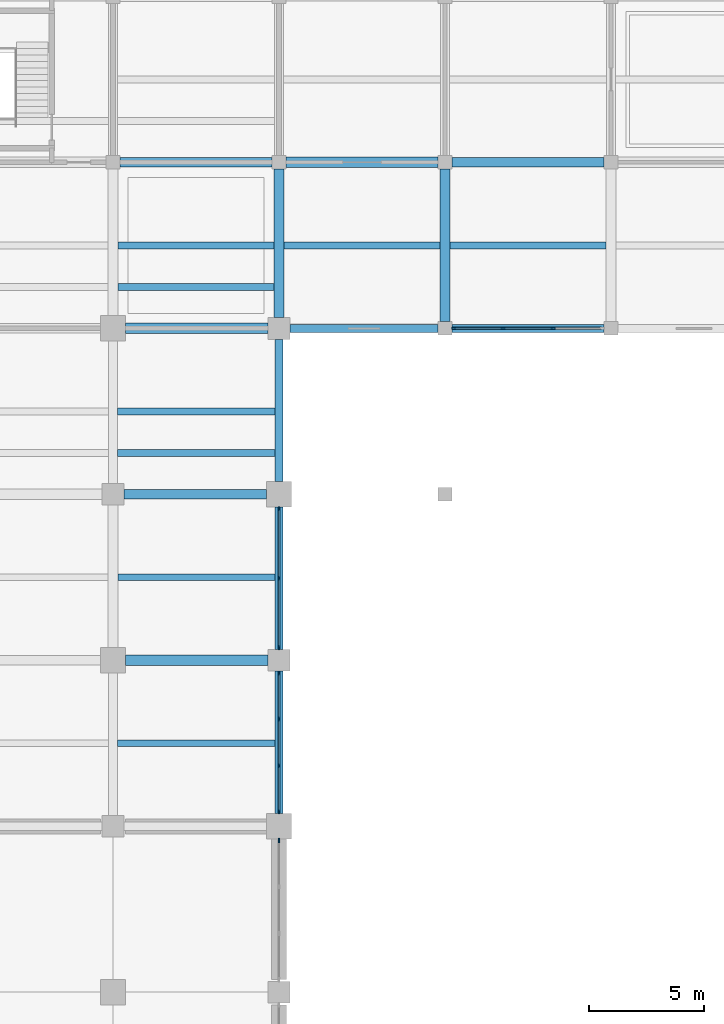
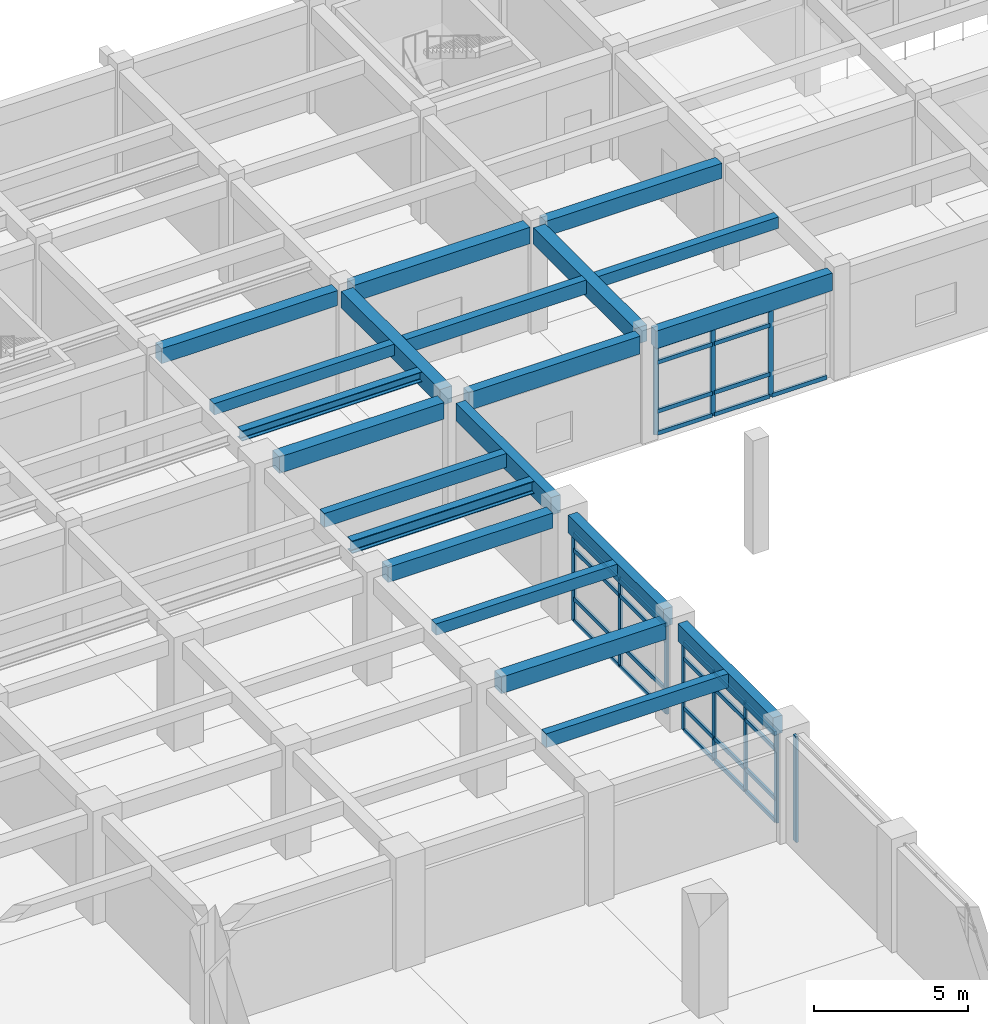
# One storey, part 17 of 81: 40 members, 21 beams, 4 elements without a shape of their own.
"""IFC4 building model written with IfcOpenShell, lengths in metres."""

from ifc_helpers import new_model, si_unit, direction, frame, origin, origin_2d, place, context, subcontext, project, spatial, rectangle, i_section, extrude, material, layer, layer_set, material_profile, profile_set, type_object, element, aggregate, save


model = new_model("IFC4")

# Units and contexts
model_context = context("Model", 3, precision=1e-05, world=origin(), true_north=direction((0.0, 1.0)))
body_context = subcontext(model_context, "Body", "Model", "MODEL_VIEW")
ifc_project = project(units=[si_unit("LENGTHUNIT", "METRE"), si_unit("AREAUNIT", "SQUARE_METRE"), si_unit("VOLUMEUNIT", "CUBIC_METRE"), si_unit("PLANEANGLEUNIT", "RADIAN"), si_unit("MASSUNIT", "GRAM", prefix="KILO")], contexts=[model_context])

# Site, building, storey
site_placement = place(None, origin())
site = spatial("IfcSite", under=ifc_project, at=site_placement, CompositionType="ELEMENT")
building_placement = place(site_placement, origin())
building = spatial("IfcBuilding", under=site, at=building_placement, Name="Kavelor Marine Aquarium", CompositionType="ELEMENT")
storey_placement = place(building_placement, frame((0.0, 0.0, 4.679931640625)))
storey = spatial("IfcBuildingStorey", under=building, at=storey_placement, Name="L01", CompositionType="ELEMENT", Elevation=4.679931640625)

# Beams
ifc_material_1 = material(Name="Concrete C40/50", Category="concrete")
ifc_material_profile_1 = material_profile(ifc_material_1, rectangle(XDim=0.449951171875, YDim=0.64990234375, at=origin_2d()), Name="RC-BM 450x650")
ifc_profile_set_1 = profile_set([ifc_material_profile_1], Name="Concrete C40/50")
beam_type_1 = type_object("IfcBeamType", Name="BM-B3", PredefinedType="BEAM", material=ifc_profile_set_1)
for number, where, z_axis, x_axis, name in (
    (1, (32.550048828125, 74.800048828125, 3.875), (1.0, 0.0, 0.0), (0.0, 1.0, 0.0), "bm:x:L01:L02:04_10"),
    (2, (32.550048828125, 89.199951171875, 3.875), (1.0, 0.0, 0.0), (0.0, 1.0, 0.0), "bm:x:L01:L02:04_12"),
):
    element("IfcBeam", number, at=place(storey_placement, frame(where, z_axis=z_axis, x_axis=x_axis)), inside=storey, type_object=beam_type_1, Name=name, PredefinedType="BEAM", context=body_context, shape_type="SweptSolid", body=[
        extrude(rectangle(XDim=0.449951171875, YDim=0.64990234375, at=origin_2d()), origin(), (0.0, 0.0, 1.0), 6.175048828125),
    ])
beam_1_placement = place(storey_placement, frame((39.5, 96.39990234375, 3.875), z_axis=(1.0, 0.0, 0.0), x_axis=(0.0, 1.0, 0.0)))
element("IfcBeam", 3, at=beam_1_placement, inside=storey, type_object=beam_type_1, Name="bm:x:L01:L02:05_13", PredefinedType="BEAM", context=body_context, shape_type="SweptSolid", body=[
    extrude(rectangle(XDim=0.449951171875, YDim=0.64990234375, at=origin_2d()), origin(), (0.0, 0.0, 1.0), 6.60009765625),
])
beam_2_placement = place(storey_placement, frame((39.199951171875, 89.675048828125, 3.875), z_axis=(0.0, 1.0, 0.0), x_axis=(-1.0, 0.0, 0.0)))
element("IfcBeam", 4, at=beam_2_placement, inside=storey, type_object=beam_type_1, Name="bm:y:L01:L02:05_12", PredefinedType="BEAM", context=body_context, shape_type="SweptSolid", body=[
    extrude(rectangle(XDim=0.449951171875, YDim=0.64990234375, at=origin_2d()), origin(), (0.0, 0.0, 1.0), 6.425048828125),
])
beam_3_placement = place(storey_placement, frame((46.39990234375, 89.5, 3.875), z_axis=(0.0, 1.0, 0.0), x_axis=(-1.0, 0.0, 0.0)))
element("IfcBeam", 5, at=beam_3_placement, inside=storey, type_object=beam_type_1, Name="bm:y:L01:L02:06_12", PredefinedType="BEAM", context=body_context, shape_type="SweptSolid", body=[
    extrude(rectangle(XDim=0.449951171875, YDim=0.64990234375, at=origin_2d()), origin(), (0.0, 0.0, 1.0), 6.60009765625),
])
ifc_material_2 = material(Name="Concrete C40/50", Category="concrete")
ifc_material_profile_2 = material_profile(ifc_material_2, rectangle(XDim=0.39990234375, YDim=0.60009765625, at=origin_2d()), Name="RC-BM 400x600")
ifc_profile_set_2 = profile_set([ifc_material_profile_2], Name="Concrete C40/50")
beam_type_2 = type_object("IfcBeamType", Name="BM-B4", PredefinedType="BEAM", material=ifc_profile_set_2)
beam_4_placement = place(storey_placement, frame((32.47509765625, 82.0, 3.900146484375), z_axis=(1.0, 0.0, 0.0), x_axis=(0.0, 1.0, 0.0)))
element("IfcBeam", 6, at=beam_4_placement, inside=storey, type_object=beam_type_2, Name="bm:x:L01:L02:04_11", PredefinedType="BEAM", context=body_context, shape_type="SweptSolid", body=[
    extrude(rectangle(XDim=0.39990234375, YDim=0.60009765625, at=origin_2d()), origin(), (0.0, 0.0, 1.0), 6.1748046875),
])
beam_5_placement = place(storey_placement, frame((32.300048828125, 96.39990234375, 3.900146484375), z_axis=(1.0, 0.0, 0.0), x_axis=(0.0, 1.0, 0.0)))
element("IfcBeam", 7, at=beam_5_placement, inside=storey, type_object=beam_type_2, Name="bm:x:L01:L02:04_13", PredefinedType="BEAM", context=body_context, shape_type="SweptSolid", body=[
    extrude(rectangle(XDim=0.39990234375, YDim=0.60009765625, at=origin_2d()), origin(), (0.0, 0.0, 1.0), 6.599853515625),
])
beam_6_placement = place(storey_placement, frame((46.699951171875, 96.39990234375, 3.900146484375), z_axis=(1.0, 0.0, 0.0), x_axis=(0.0, 1.0, 0.0)))
element("IfcBeam", 8, at=beam_6_placement, inside=storey, type_object=beam_type_2, Name="bm:x:L01:L02:06_13", PredefinedType="BEAM", context=body_context, shape_type="SweptSolid", body=[
    extrude(rectangle(XDim=0.39990234375, YDim=0.60009765625, at=origin_2d()), origin(), (0.0, 0.0, 1.0), 6.60009765625),
])
ifc_material_3 = material(Name="Concrete C40/50", Category="concrete")
ifc_material_profile_3 = material_profile(ifc_material_3, rectangle(XDim=0.300048828125, YDim=0.449951171875, at=origin_2d()), Name="RC-JS 300x450")
ifc_profile_set_3 = profile_set([ifc_material_profile_3], Name="Concrete C40/50")
beam_type_3 = type_object("IfcBeamType", Name="BM-JS1", PredefinedType="JOIST", material=ifc_profile_set_3)
beam_7_placement = place(storey_placement, frame((32.22509765625, 78.39990234375, 3.97509765625), z_axis=(1.0, 0.0, 0.0), x_axis=(0.0, 1.0, 0.0)))
element("IfcBeam", 9, at=beam_7_placement, inside=storey, type_object=beam_type_3, Name="js:L01:L02:04_10", PredefinedType="JOIST", context=body_context, shape_type="SweptSolid", body=[
    extrude(rectangle(XDim=0.300048828125, YDim=0.449951171875, at=origin_2d()), origin(), (0.0, 0.0, 1.0), 6.7998046875),
])
for number, where, z_axis, x_axis, name in (
    (10, (32.22509765625, 92.800048828125, 3.97509765625), (1.0, 0.0, 0.0), (0.0, 1.0, 0.0), "js:L01:L02:04_12"),
    (11, (46.625, 92.800048828125, 3.97509765625), (1.0, 0.0, 0.0), (0.0, 1.0, 0.0), "js:L01:L02:06_12"),
):
    element("IfcBeam", number, at=place(storey_placement, frame(where, z_axis=z_axis, x_axis=x_axis)), inside=storey, type_object=beam_type_3, Name=name, PredefinedType="JOIST", context=body_context, shape_type="SweptSolid", body=[
        extrude(rectangle(XDim=0.300048828125, YDim=0.449951171875, at=origin_2d()), origin(), (0.0, 0.0, 1.0), 6.75),
    ])
ifc_material_4 = material(Name="Concrete C40/50", Category="concrete")
ifc_material_profile_4 = material_profile(ifc_material_4, rectangle(XDim=0.300048828125, YDim=0.550048828125, at=origin_2d()), Name="RC-JS 300x550")
ifc_profile_set_4 = profile_set([ifc_material_profile_4], Name="Concrete C40/50")
beam_type_4 = type_object("IfcBeamType", Name="BM-JS2", PredefinedType="JOIST", material=ifc_profile_set_4)
for number, where, z_axis, x_axis, name in (
    (12, (32.199951171875, 71.199951171875, 3.945068359375), (1.0, 0.0, 0.0), (0.0, 1.0, 0.0), "js:L01:L02:04_09"),
    (13, (32.199951171875, 85.60009765625, 3.945068359375), (1.0, 0.0, 0.0), (0.0, 1.0, 0.0), "js:L01:L02:04_11"),
):
    element("IfcBeam", number, at=place(storey_placement, frame(where, z_axis=z_axis, x_axis=x_axis)), inside=storey, type_object=beam_type_4, Name=name, PredefinedType="JOIST", context=body_context, shape_type="SweptSolid", body=[
        extrude(rectangle(XDim=0.300048828125, YDim=0.550048828125, at=origin_2d()), origin(), (0.0, 0.0, 1.0), 6.824951171875),
    ])
beam_8_placement = place(storey_placement, frame((39.425048828125, 92.800048828125, 3.945068359375), z_axis=(1.0, 0.0, 0.0), x_axis=(0.0, 1.0, 0.0)))
element("IfcBeam", 14, at=beam_8_placement, inside=storey, type_object=beam_type_4, Name="js:L01:L02:05_12", PredefinedType="JOIST", context=body_context, shape_type="SweptSolid", body=[
    extrude(rectangle(XDim=0.300048828125, YDim=0.550048828125, at=origin_2d()), origin(), (0.0, 0.0, 1.0), 6.75),
])
ifc_material_5 = material(Name="Steel S355", Category="steel")
ifc_material_profile_5 = material_profile(ifc_material_5, i_section(OverallWidth=0.300048828125, OverallDepth=0.5, WebThickness=0.014404296875, FlangeThickness=0.028076171875, FilletRadius=0.027099609375, at=origin_2d()), Name="HEB 500")
ifc_profile_set_5 = profile_set([ifc_material_profile_5], Name="Steel S355")
beam_type_5 = type_object("IfcBeamType", Name="BM-SB3", PredefinedType="BEAM", material=ifc_profile_set_5)
beam_9_placement = place(storey_placement, frame((32.199951171875, 83.800048828125, 3.969970703125), z_axis=(1.0, 0.0, 0.0), x_axis=(0.0, 1.0, 0.0)))
element("IfcBeam", 15, at=beam_9_placement, inside=storey, type_object=beam_type_5, Name="bm:hoist:0:04", PredefinedType="BEAM", context=body_context, shape_type="SweptSolid", body=[
    extrude(i_section(OverallWidth=0.300048828125, OverallDepth=0.5, WebThickness=0.014404296875, FlangeThickness=0.028076171875, FilletRadius=0.027099609375, at=origin_2d()), origin(), (0.0, 0.0, 1.0), 6.824951171875),
])
ifc_material_6 = material(Name="Steel S355", Category="steel")
ifc_material_profile_6 = material_profile(ifc_material_6, i_section(OverallWidth=0.300048828125, OverallDepth=0.39990234375, WebThickness=0.013427734375, FlangeThickness=0.02392578125, FilletRadius=0.027099609375, at=origin_2d()), Name="HEB 400")
ifc_profile_set_6 = profile_set([ifc_material_profile_6], Name="Steel S355")
beam_type_6 = type_object("IfcBeamType", Name="BM-SB4", PredefinedType="BEAM", material=ifc_profile_set_6)
beam_10_placement = place(storey_placement, frame((32.22509765625, 91.0, 4.0), z_axis=(1.0, 0.0, 0.0), x_axis=(0.0, 1.0, 0.0)))
element("IfcBeam", 16, at=beam_10_placement, inside=storey, type_object=beam_type_6, Name="bm:hoist:1:04", PredefinedType="BEAM", context=body_context, shape_type="SweptSolid", body=[
    extrude(i_section(OverallWidth=0.300048828125, OverallDepth=0.39990234375, WebThickness=0.013427734375, FlangeThickness=0.02392578125, FilletRadius=0.027099609375, at=origin_2d()), origin(), (0.0, 0.0, 1.0), 6.75),
])
ifc_material_7 = material(Name="Concrete C40/50", Category="concrete")
ifc_material_profile_7 = material_profile(ifc_material_7, rectangle(XDim=0.35009765625, YDim=0.699951171875, at=origin_2d()), Name="RC-SP 350x700")
ifc_profile_set_7 = profile_set([ifc_material_profile_7], Name="Concrete C40/50")
beam_type_7 = type_object("IfcBeamType", Name="BM-SP1", PredefinedType="SPANDREL", material=ifc_profile_set_7)
beam_11_placement = place(storey_placement, frame((39.675048828125, 89.199951171875, 3.8701171875), z_axis=(1.0, 0.0, 0.0), x_axis=(0.0, 1.0, 0.0)))
element("IfcBeam", 17, at=beam_11_placement, inside=storey, type_object=beam_type_7, Name="bm:x:L01:L02:05_12", PredefinedType="SPANDREL", context=body_context, shape_type="SweptSolid", body=[
    extrude(rectangle(XDim=0.35009765625, YDim=0.699951171875, at=origin_2d()), origin(), (0.0, 0.0, 1.0), 6.425048828125),
])
beam_12_placement = place(storey_placement, frame((46.699951171875, 89.199951171875, 3.85009765625), z_axis=(1.0, 0.0, 0.0), x_axis=(0.0, 1.0, 0.0)))
element("IfcBeam", 18, at=beam_12_placement, inside=storey, type_object=beam_type_7, Name="bm:x:L01:L02:06_12", PredefinedType="SPANDREL", context=body_context, shape_type="SweptSolid", body=[
    extrude(rectangle(XDim=0.35009765625, YDim=0.699951171875, at=origin_2d()), origin(), (0.0, 0.0, 1.0), 6.60009765625),
])
for number, where, z_axis, x_axis, name in (
    (19, (39.199951171875, 68.14990234375, 3.8701171875), (0.0, 1.0, 0.0), (-1.0, 0.0, 0.0), "bm:y:L01:L02:05_09"),
    (20, (39.199951171875, 75.27490234375, 3.85009765625), (0.0, 1.0, 0.0), (-1.0, 0.0, 0.0), "bm:y:L01:L02:05_10"),
    (21, (39.199951171875, 82.550048828125, 3.8701171875), (0.0, 1.0, 0.0), (-1.0, 0.0, 0.0), "bm:y:L01:L02:05_11"),
):
    element("IfcBeam", number, at=place(storey_placement, frame(where, z_axis=z_axis, x_axis=x_axis)), inside=storey, type_object=beam_type_7, Name=name, PredefinedType="SPANDREL", context=body_context, shape_type="SweptSolid", body=[
        extrude(rectangle(XDim=0.35009765625, YDim=0.699951171875, at=origin_2d()), origin(), (0.0, 0.0, 1.0), 6.175048828125),
    ])

# Curtain wall, members
ifc_material_8 = material(Name="Thermally Broken Aluminium and Low-E Glass", Category="aluminium")
ifc_layer_1 = layer(ifc_material_8, 0.31591796875)
ifc_layer_set_1 = layer_set([ifc_layer_1], Name="CW-SYS22")
curtain_wall_type_1 = type_object("IfcCurtainWallType", Name="CW-SYS22", PredefinedType="USERDEFINED", material=ifc_layer_set_1)
curtain_wall_1_placement = place(storey_placement, origin())
curtain_wall_1 = element("IfcCurtainWall", 22, at=curtain_wall_1_placement, inside=storey, type_object=curtain_wall_type_1, Name="cw:x:L01:06_12", ObjectType="Curtain Wall", PredefinedType="USERDEFINED")
ifc_material_9 = material(Name="Anodised Aluminium Alloy 6063-T6", Category="aluminium")
ifc_material_profile_8 = material_profile(ifc_material_9, rectangle(XDim=0.074951171875, YDim=0.179931640625, at=origin_2d()), Name="CW-MUL 75x180")
ifc_profile_set_8 = profile_set([ifc_material_profile_8], Name="Anodised Aluminium Alloy 6063-T6")
member_type_1 = type_object("IfcMemberType", Name="CWM-1", PredefinedType="MULLION", material=ifc_profile_set_8)
member_1_placement = place(storey_placement, frame((51.0849609375, 89.199951171875, 0.0), z_axis=(0.0, 0.0, 1.0), x_axis=(0.0, -1.0, 0.0)))
member_1 = element("IfcMember", 23, at=member_1_placement, type_object=member_type_1, Name="CW22 mullion 2", PredefinedType="MULLION", context=body_context, shape_type="SweptSolid", body=[
    extrude(rectangle(XDim=0.074951171875, YDim=0.179931640625, at=origin_2d()), origin(), (0.0, 0.0, 1.0), 3.489990234375),
])
member_2_placement = place(storey_placement, frame((48.9150390625, 89.199951171875, 0.0), z_axis=(0.0, 0.0, 1.0), x_axis=(0.0, -1.0, 0.0)))
member_2 = element("IfcMember", 24, at=member_2_placement, type_object=member_type_1, Name="CW22 mullion 3", PredefinedType="MULLION", context=body_context, shape_type="SweptSolid", body=[
    extrude(rectangle(XDim=0.074951171875, YDim=0.179931640625, at=origin_2d()), origin(), (0.0, 0.0, 1.0), 3.489990234375),
])
member_3_placement = place(storey_placement, frame((46.782470703125, 89.199951171875, 0.0), z_axis=(0.0, 0.0, 1.0), x_axis=(0.0, -1.0, 0.0)))
member_3 = element("IfcMember", 25, at=member_3_placement, type_object=member_type_1, Name="CW22 mullion 4", PredefinedType="MULLION", context=body_context, shape_type="SweptSolid", body=[
    extrude(rectangle(XDim=0.074951171875, YDim=0.179931640625, at=origin_2d()), origin(), (0.0, 0.0, 1.0), 3.489990234375),
])

curtain_wall_2_placement = place(storey_placement, origin())
curtain_wall_2 = element("IfcCurtainWall", 26, at=curtain_wall_2_placement, inside=storey, type_object=curtain_wall_type_1, Name="cw:y:L01:05_09", ObjectType="Curtain Wall", PredefinedType="USERDEFINED")
member_4_placement = place(storey_placement, frame((39.199951171875, 68.232421875, 0.0), z_axis=(0.0, 0.0, 1.0), x_axis=(-1.0, 0.0, 0.0)))
member_4 = element("IfcMember", 27, at=member_4_placement, type_object=member_type_1, Name="CW22 mullion 1", PredefinedType="MULLION", context=body_context, shape_type="SweptSolid", body=[
    extrude(rectangle(XDim=0.074951171875, YDim=0.179931640625, at=origin_2d()), origin(), (0.0, 0.0, 1.0), 3.510009765625),
])
member_5_placement = place(storey_placement, frame((39.199951171875, 70.223388671875, 0.0), z_axis=(0.0, 0.0, 1.0), x_axis=(-1.0, 0.0, 0.0)))
member_5 = element("IfcMember", 28, at=member_5_placement, type_object=member_type_1, Name="CW22 mullion 2", PredefinedType="MULLION", context=body_context, shape_type="SweptSolid", body=[
    extrude(rectangle(XDim=0.074951171875, YDim=0.179931640625, at=origin_2d()), origin(), (0.0, 0.0, 1.0), 3.510009765625),
])
member_6_placement = place(storey_placement, frame((39.199951171875, 72.251708984375, 0.0), z_axis=(0.0, 0.0, 1.0), x_axis=(-1.0, 0.0, 0.0)))
member_6 = element("IfcMember", 29, at=member_6_placement, type_object=member_type_1, Name="CW22 mullion 3", PredefinedType="MULLION", context=body_context, shape_type="SweptSolid", body=[
    extrude(rectangle(XDim=0.074951171875, YDim=0.179931640625, at=origin_2d()), origin(), (0.0, 0.0, 1.0), 3.510009765625),
])
member_7_placement = place(storey_placement, frame((39.199951171875, 74.242431640625, 0.0), z_axis=(0.0, 0.0, 1.0), x_axis=(-1.0, 0.0, 0.0)))
member_7 = element("IfcMember", 30, at=member_7_placement, type_object=member_type_1, Name="CW22 mullion 4", PredefinedType="MULLION", context=body_context, shape_type="SweptSolid", body=[
    extrude(rectangle(XDim=0.074951171875, YDim=0.179931640625, at=origin_2d()), origin(), (0.0, 0.0, 1.0), 3.510009765625),
])

ifc_material_10 = material(Name="Thermally Broken Aluminium and Low-E Glass", Category="aluminium")
ifc_layer_2 = layer(ifc_material_10, 0.323974609375)
ifc_layer_set_2 = layer_set([ifc_layer_2], Name="CW-SYS23")
curtain_wall_type_2 = type_object("IfcCurtainWallType", Name="CW-SYS23", PredefinedType="USERDEFINED", material=ifc_layer_set_2)
curtain_wall_3_placement = place(storey_placement, origin())
curtain_wall_3 = element("IfcCurtainWall", 31, at=curtain_wall_3_placement, inside=storey, type_object=curtain_wall_type_2, Name="cw:y:L01:05_10", ObjectType="Curtain Wall", PredefinedType="USERDEFINED")
ifc_material_11 = material(Name="Anodised Aluminium Alloy 6063-T6", Category="aluminium")
ifc_material_profile_9 = material_profile(ifc_material_11, rectangle(XDim=0.080078125, YDim=0.18505859375, at=origin_2d()), Name="CW-MUL 80x185")
ifc_profile_set_9 = profile_set([ifc_material_profile_9], Name="Anodised Aluminium Alloy 6063-T6")
member_type_2 = type_object("IfcMemberType", Name="CWM-2", PredefinedType="MULLION", material=ifc_profile_set_9)
member_8_placement = place(storey_placement, frame((39.199951171875, 75.3525390625, 0.0), z_axis=(0.0, 0.0, 1.0), x_axis=(-1.0, 0.0, 0.0)))
member_8 = element("IfcMember", 32, at=member_8_placement, type_object=member_type_2, Name="CW23 mullion 1", PredefinedType="MULLION", context=body_context, shape_type="SweptSolid", body=[
    extrude(rectangle(XDim=0.080078125, YDim=0.18505859375, at=origin_2d()), origin(), (0.0, 0.0, 1.0), 3.489990234375),
])
member_9_placement = place(storey_placement, frame((39.199951171875, 78.362548828125, 0.0), z_axis=(0.0, 0.0, 1.0), x_axis=(-1.0, 0.0, 0.0)))
member_9 = element("IfcMember", 33, at=member_9_placement, type_object=member_type_2, Name="CW23 mullion 2", PredefinedType="MULLION", context=body_context, shape_type="SweptSolid", body=[
    extrude(rectangle(XDim=0.080078125, YDim=0.18505859375, at=origin_2d()), origin(), (0.0, 0.0, 1.0), 3.489990234375),
])
member_10_placement = place(storey_placement, frame((39.199951171875, 81.37255859375, 0.0), z_axis=(0.0, 0.0, 1.0), x_axis=(-1.0, 0.0, 0.0)))
member_10 = element("IfcMember", 34, at=member_10_placement, type_object=member_type_2, Name="CW23 mullion 3", PredefinedType="MULLION", context=body_context, shape_type="SweptSolid", body=[
    extrude(rectangle(XDim=0.080078125, YDim=0.18505859375, at=origin_2d()), origin(), (0.0, 0.0, 1.0), 3.489990234375),
])

# Curtain wall, member
ifc_material_12 = material(Name="Thermally Broken Aluminium and Low-E Glass", Category="aluminium")
ifc_layer_3 = layer(ifc_material_12, 0.30810546875)
ifc_layer_set_3 = layer_set([ifc_layer_3], Name="CW-SYS21")
curtain_wall_type_3 = type_object("IfcCurtainWallType", Name="CW-SYS21", PredefinedType="USERDEFINED", material=ifc_layer_set_3)
curtain_wall_4_placement = place(storey_placement, origin())
curtain_wall_4 = element("IfcCurtainWall", 35, at=curtain_wall_4_placement, inside=storey, type_object=curtain_wall_type_3, Name="cw:y:L01:05_08", ObjectType="Curtain Wall", PredefinedType="USERDEFINED")
ifc_material_13 = material(Name="Anodised Aluminium Alloy 6063-T6", Category="aluminium")
ifc_material_profile_10 = material_profile(ifc_material_13, rectangle(XDim=0.0849609375, YDim=0.18994140625, at=origin_2d()), Name="CW-MUL 85x190")
ifc_profile_set_10 = profile_set([ifc_material_profile_10], Name="Anodised Aluminium Alloy 6063-T6")
member_type_3 = type_object("IfcMemberType", Name="CWM-3", PredefinedType="MULLION", material=ifc_profile_set_10)
member_11_placement = place(storey_placement, frame((39.199951171875, 66.97509765625, 0.0), z_axis=(0.0, 0.0, 1.0), x_axis=(-1.0, 0.0, 0.0)))
member_11 = element("IfcMember", 36, at=member_11_placement, type_object=member_type_3, Name="CW21 mullion 4", PredefinedType="MULLION", context=body_context, shape_type="SweptSolid", body=[
    extrude(rectangle(XDim=0.0849609375, YDim=0.18994140625, at=origin_2d()), origin(), (0.0, 0.0, 1.0), 4.199951171875),
])
aggregate(curtain_wall_4, [member_11])

# Member
ifc_material_14 = material(Name="Anodised Aluminium Alloy 6063-T6", Category="aluminium")
ifc_material_profile_11 = material_profile(ifc_material_14, rectangle(XDim=0.0849609375, YDim=0.159912109375, at=origin_2d()), Name="CW-TRN 85x160")
ifc_profile_set_11 = profile_set([ifc_material_profile_11], Name="Anodised Aluminium Alloy 6063-T6")
member_type_4 = type_object("IfcMemberType", Name="CWT-3", PredefinedType="USERDEFINED", material=ifc_profile_set_11)
member_12_placement = place(storey_placement, frame((53.179931640625, 89.199951171875, 0.030029296875), z_axis=(-1.0, 0.0, 0.0), x_axis=(0.0, -1.0, 0.0)))
member_12 = element("IfcMember", 37, at=member_12_placement, type_object=member_type_4, Name="CW22 transom 1.1", ObjectType="TRANSOM", PredefinedType="USERDEFINED", context=body_context, shape_type="SweptSolid", body=[
    extrude(rectangle(XDim=0.0849609375, YDim=0.159912109375, at=origin_2d()), origin(), (0.0, 0.0, 1.0), 2.057373046875),
])

member_13_placement = place(storey_placement, frame((51.047607421875, 89.199951171875, 0.030029296875), z_axis=(-1.0, 0.0, 0.0), x_axis=(0.0, -1.0, 0.0)))
member_13 = element("IfcMember", 38, at=member_13_placement, type_object=member_type_4, Name="CW22 transom 2.1", ObjectType="TRANSOM", PredefinedType="USERDEFINED", context=body_context, shape_type="SweptSolid", body=[
    extrude(rectangle(XDim=0.0849609375, YDim=0.159912109375, at=origin_2d()), origin(), (0.0, 0.0, 1.0), 2.09521484375),
])

member_14_placement = place(storey_placement, frame((51.047607421875, 89.199951171875, 0.900146484375), z_axis=(-1.0, 0.0, 0.0), x_axis=(0.0, -1.0, 0.0)))
member_14 = element("IfcMember", 39, at=member_14_placement, type_object=member_type_4, Name="CW22 transom 2.2", ObjectType="TRANSOM", PredefinedType="USERDEFINED", context=body_context, shape_type="SweptSolid", body=[
    extrude(rectangle(XDim=0.0849609375, YDim=0.159912109375, at=origin_2d()), origin(), (0.0, 0.0, 1.0), 2.09521484375),
])

member_15_placement = place(storey_placement, frame((51.047607421875, 89.199951171875, 2.840087890625), z_axis=(-1.0, 0.0, 0.0), x_axis=(0.0, -1.0, 0.0)))
member_15 = element("IfcMember", 40, at=member_15_placement, type_object=member_type_4, Name="CW22 transom 2.3", ObjectType="TRANSOM", PredefinedType="USERDEFINED", context=body_context, shape_type="SweptSolid", body=[
    extrude(rectangle(XDim=0.0849609375, YDim=0.159912109375, at=origin_2d()), origin(), (0.0, 0.0, 1.0), 2.09521484375),
])

member_16_placement = place(storey_placement, frame((51.047607421875, 89.199951171875, 3.4599609375), z_axis=(-1.0, 0.0, 0.0), x_axis=(0.0, -1.0, 0.0)))
member_16 = element("IfcMember", 41, at=member_16_placement, type_object=member_type_4, Name="CW22 transom 2.4", ObjectType="TRANSOM", PredefinedType="USERDEFINED", context=body_context, shape_type="SweptSolid", body=[
    extrude(rectangle(XDim=0.0849609375, YDim=0.159912109375, at=origin_2d()), origin(), (0.0, 0.0, 1.0), 2.09521484375),
])

member_17_placement = place(storey_placement, frame((48.87744140625, 89.199951171875, 0.030029296875), z_axis=(-1.0, 0.0, 0.0), x_axis=(0.0, -1.0, 0.0)))
member_17 = element("IfcMember", 42, at=member_17_placement, type_object=member_type_4, Name="CW22 transom 3.1", ObjectType="TRANSOM", PredefinedType="USERDEFINED", context=body_context, shape_type="SweptSolid", body=[
    extrude(rectangle(XDim=0.0849609375, YDim=0.159912109375, at=origin_2d()), origin(), (0.0, 0.0, 1.0), 2.057373046875),
])

member_18_placement = place(storey_placement, frame((48.87744140625, 89.199951171875, 0.900146484375), z_axis=(-1.0, 0.0, 0.0), x_axis=(0.0, -1.0, 0.0)))
member_18 = element("IfcMember", 43, at=member_18_placement, type_object=member_type_4, Name="CW22 transom 3.2", ObjectType="TRANSOM", PredefinedType="USERDEFINED", context=body_context, shape_type="SweptSolid", body=[
    extrude(rectangle(XDim=0.0849609375, YDim=0.159912109375, at=origin_2d()), origin(), (0.0, 0.0, 1.0), 2.057373046875),
])

member_19_placement = place(storey_placement, frame((48.87744140625, 89.199951171875, 2.840087890625), z_axis=(-1.0, 0.0, 0.0), x_axis=(0.0, -1.0, 0.0)))
member_19 = element("IfcMember", 44, at=member_19_placement, type_object=member_type_4, Name="CW22 transom 3.3", ObjectType="TRANSOM", PredefinedType="USERDEFINED", context=body_context, shape_type="SweptSolid", body=[
    extrude(rectangle(XDim=0.0849609375, YDim=0.159912109375, at=origin_2d()), origin(), (0.0, 0.0, 1.0), 2.057373046875),
])

member_20_placement = place(storey_placement, frame((48.87744140625, 89.199951171875, 3.4599609375), z_axis=(-1.0, 0.0, 0.0), x_axis=(0.0, -1.0, 0.0)))
member_20 = element("IfcMember", 45, at=member_20_placement, type_object=member_type_4, Name="CW22 transom 3.4", ObjectType="TRANSOM", PredefinedType="USERDEFINED", context=body_context, shape_type="SweptSolid", body=[
    extrude(rectangle(XDim=0.0849609375, YDim=0.159912109375, at=origin_2d()), origin(), (0.0, 0.0, 1.0), 2.057373046875),
])

aggregate(curtain_wall_1, [member_1, member_2, member_3, member_12, member_13, member_14, member_15, member_16, member_17, member_18, member_19, member_20])

member_21_placement = place(storey_placement, frame((39.199951171875, 68.27001953125, 0.030029296875), z_axis=(0.0, 1.0, 0.0), x_axis=(-1.0, 0.0, 0.0)))
member_21 = element("IfcMember", 46, at=member_21_placement, type_object=member_type_4, Name="CW22 transom 1.1", ObjectType="TRANSOM", PredefinedType="USERDEFINED", context=body_context, shape_type="SweptSolid", body=[
    extrude(rectangle(XDim=0.0849609375, YDim=0.159912109375, at=origin_2d()), origin(), (0.0, 0.0, 1.0), 1.915771484375),
])

member_22_placement = place(storey_placement, frame((39.199951171875, 68.27001953125, 0.900146484375), z_axis=(0.0, 1.0, 0.0), x_axis=(-1.0, 0.0, 0.0)))
member_22 = element("IfcMember", 47, at=member_22_placement, type_object=member_type_4, Name="CW22 transom 1.2", ObjectType="TRANSOM", PredefinedType="USERDEFINED", context=body_context, shape_type="SweptSolid", body=[
    extrude(rectangle(XDim=0.0849609375, YDim=0.159912109375, at=origin_2d()), origin(), (0.0, 0.0, 1.0), 1.915771484375),
])

member_23_placement = place(storey_placement, frame((39.199951171875, 68.27001953125, 2.860107421875), z_axis=(0.0, 1.0, 0.0), x_axis=(-1.0, 0.0, 0.0)))
member_23 = element("IfcMember", 48, at=member_23_placement, type_object=member_type_4, Name="CW22 transom 1.3", ObjectType="TRANSOM", PredefinedType="USERDEFINED", context=body_context, shape_type="SweptSolid", body=[
    extrude(rectangle(XDim=0.0849609375, YDim=0.159912109375, at=origin_2d()), origin(), (0.0, 0.0, 1.0), 1.915771484375),
])

member_24_placement = place(storey_placement, frame((39.199951171875, 68.27001953125, 3.47998046875), z_axis=(0.0, 1.0, 0.0), x_axis=(-1.0, 0.0, 0.0)))
member_24 = element("IfcMember", 49, at=member_24_placement, type_object=member_type_4, Name="CW22 transom 1.4", ObjectType="TRANSOM", PredefinedType="USERDEFINED", context=body_context, shape_type="SweptSolid", body=[
    extrude(rectangle(XDim=0.0849609375, YDim=0.159912109375, at=origin_2d()), origin(), (0.0, 0.0, 1.0), 1.915771484375),
])

member_25_placement = place(storey_placement, frame((39.199951171875, 70.2607421875, 0.030029296875), z_axis=(0.0, 1.0, 0.0), x_axis=(-1.0, 0.0, 0.0)))
member_25 = element("IfcMember", 50, at=member_25_placement, type_object=member_type_4, Name="CW22 transom 2.1", ObjectType="TRANSOM", PredefinedType="USERDEFINED", context=body_context, shape_type="SweptSolid", body=[
    extrude(rectangle(XDim=0.0849609375, YDim=0.159912109375, at=origin_2d()), origin(), (0.0, 0.0, 1.0), 1.953369140625),
])

member_26_placement = place(storey_placement, frame((39.199951171875, 70.2607421875, 0.900146484375), z_axis=(0.0, 1.0, 0.0), x_axis=(-1.0, 0.0, 0.0)))
member_26 = element("IfcMember", 51, at=member_26_placement, type_object=member_type_4, Name="CW22 transom 2.2", ObjectType="TRANSOM", PredefinedType="USERDEFINED", context=body_context, shape_type="SweptSolid", body=[
    extrude(rectangle(XDim=0.0849609375, YDim=0.159912109375, at=origin_2d()), origin(), (0.0, 0.0, 1.0), 1.953369140625),
])

member_27_placement = place(storey_placement, frame((39.199951171875, 70.2607421875, 2.860107421875), z_axis=(0.0, 1.0, 0.0), x_axis=(-1.0, 0.0, 0.0)))
member_27 = element("IfcMember", 52, at=member_27_placement, type_object=member_type_4, Name="CW22 transom 2.3", ObjectType="TRANSOM", PredefinedType="USERDEFINED", context=body_context, shape_type="SweptSolid", body=[
    extrude(rectangle(XDim=0.0849609375, YDim=0.159912109375, at=origin_2d()), origin(), (0.0, 0.0, 1.0), 1.953369140625),
])

member_28_placement = place(storey_placement, frame((39.199951171875, 70.2607421875, 3.47998046875), z_axis=(0.0, 1.0, 0.0), x_axis=(-1.0, 0.0, 0.0)))
member_28 = element("IfcMember", 53, at=member_28_placement, type_object=member_type_4, Name="CW22 transom 2.4", ObjectType="TRANSOM", PredefinedType="USERDEFINED", context=body_context, shape_type="SweptSolid", body=[
    extrude(rectangle(XDim=0.0849609375, YDim=0.159912109375, at=origin_2d()), origin(), (0.0, 0.0, 1.0), 1.953369140625),
])

member_29_placement = place(storey_placement, frame((39.199951171875, 72.2890625, 0.030029296875), z_axis=(0.0, 1.0, 0.0), x_axis=(-1.0, 0.0, 0.0)))
member_29 = element("IfcMember", 54, at=member_29_placement, type_object=member_type_4, Name="CW22 transom 3.1", ObjectType="TRANSOM", PredefinedType="USERDEFINED", context=body_context, shape_type="SweptSolid", body=[
    extrude(rectangle(XDim=0.0849609375, YDim=0.159912109375, at=origin_2d()), origin(), (0.0, 0.0, 1.0), 1.916015625),
])

member_30_placement = place(storey_placement, frame((39.199951171875, 72.2890625, 0.900146484375), z_axis=(0.0, 1.0, 0.0), x_axis=(-1.0, 0.0, 0.0)))
member_30 = element("IfcMember", 55, at=member_30_placement, type_object=member_type_4, Name="CW22 transom 3.2", ObjectType="TRANSOM", PredefinedType="USERDEFINED", context=body_context, shape_type="SweptSolid", body=[
    extrude(rectangle(XDim=0.0849609375, YDim=0.159912109375, at=origin_2d()), origin(), (0.0, 0.0, 1.0), 1.916015625),
])

member_31_placement = place(storey_placement, frame((39.199951171875, 72.2890625, 2.860107421875), z_axis=(0.0, 1.0, 0.0), x_axis=(-1.0, 0.0, 0.0)))
member_31 = element("IfcMember", 56, at=member_31_placement, type_object=member_type_4, Name="CW22 transom 3.3", ObjectType="TRANSOM", PredefinedType="USERDEFINED", context=body_context, shape_type="SweptSolid", body=[
    extrude(rectangle(XDim=0.0849609375, YDim=0.159912109375, at=origin_2d()), origin(), (0.0, 0.0, 1.0), 1.916015625),
])

member_32_placement = place(storey_placement, frame((39.199951171875, 72.2890625, 3.47998046875), z_axis=(0.0, 1.0, 0.0), x_axis=(-1.0, 0.0, 0.0)))
member_32 = element("IfcMember", 57, at=member_32_placement, type_object=member_type_4, Name="CW22 transom 3.4", ObjectType="TRANSOM", PredefinedType="USERDEFINED", context=body_context, shape_type="SweptSolid", body=[
    extrude(rectangle(XDim=0.0849609375, YDim=0.159912109375, at=origin_2d()), origin(), (0.0, 0.0, 1.0), 1.916015625),
])

aggregate(curtain_wall_2, [member_4, member_5, member_6, member_7, member_21, member_22, member_23, member_24, member_25, member_26, member_27, member_28, member_29, member_30, member_31, member_32])

member_33_placement = place(storey_placement, frame((39.199951171875, 75.385009765625, 0.030029296875), z_axis=(0.0, 1.0, 0.0), x_axis=(-1.0, 0.0, 0.0)))
member_33 = element("IfcMember", 58, at=member_33_placement, type_object=member_type_4, Name="CW23 transom 1.1", ObjectType="TRANSOM", PredefinedType="USERDEFINED", context=body_context, shape_type="SweptSolid", body=[
    extrude(rectangle(XDim=0.0849609375, YDim=0.159912109375, at=origin_2d()), origin(), (0.0, 0.0, 1.0), 2.945068359375),
])

member_34_placement = place(storey_placement, frame((39.199951171875, 75.385009765625, 0.900146484375), z_axis=(0.0, 1.0, 0.0), x_axis=(-1.0, 0.0, 0.0)))
member_34 = element("IfcMember", 59, at=member_34_placement, type_object=member_type_4, Name="CW23 transom 1.2", ObjectType="TRANSOM", PredefinedType="USERDEFINED", context=body_context, shape_type="SweptSolid", body=[
    extrude(rectangle(XDim=0.0849609375, YDim=0.159912109375, at=origin_2d()), origin(), (0.0, 0.0, 1.0), 2.945068359375),
])

member_35_placement = place(storey_placement, frame((39.199951171875, 75.385009765625, 2.840087890625), z_axis=(0.0, 1.0, 0.0), x_axis=(-1.0, 0.0, 0.0)))
member_35 = element("IfcMember", 60, at=member_35_placement, type_object=member_type_4, Name="CW23 transom 1.3", ObjectType="TRANSOM", PredefinedType="USERDEFINED", context=body_context, shape_type="SweptSolid", body=[
    extrude(rectangle(XDim=0.0849609375, YDim=0.159912109375, at=origin_2d()), origin(), (0.0, 0.0, 1.0), 2.945068359375),
])

member_36_placement = place(storey_placement, frame((39.199951171875, 75.385009765625, 3.4599609375), z_axis=(0.0, 1.0, 0.0), x_axis=(-1.0, 0.0, 0.0)))
member_36 = element("IfcMember", 61, at=member_36_placement, type_object=member_type_4, Name="CW23 transom 1.4", ObjectType="TRANSOM", PredefinedType="USERDEFINED", context=body_context, shape_type="SweptSolid", body=[
    extrude(rectangle(XDim=0.0849609375, YDim=0.159912109375, at=origin_2d()), origin(), (0.0, 0.0, 1.0), 2.945068359375),
])

member_37_placement = place(storey_placement, frame((39.199951171875, 78.39501953125, 0.030029296875), z_axis=(0.0, 1.0, 0.0), x_axis=(-1.0, 0.0, 0.0)))
member_37 = element("IfcMember", 62, at=member_37_placement, type_object=member_type_4, Name="CW23 transom 2.1", ObjectType="TRANSOM", PredefinedType="USERDEFINED", context=body_context, shape_type="SweptSolid", body=[
    extrude(rectangle(XDim=0.0849609375, YDim=0.159912109375, at=origin_2d()), origin(), (0.0, 0.0, 1.0), 2.945068359375),
])

member_38_placement = place(storey_placement, frame((39.199951171875, 78.39501953125, 0.900146484375), z_axis=(0.0, 1.0, 0.0), x_axis=(-1.0, 0.0, 0.0)))
member_38 = element("IfcMember", 63, at=member_38_placement, type_object=member_type_4, Name="CW23 transom 2.2", ObjectType="TRANSOM", PredefinedType="USERDEFINED", context=body_context, shape_type="SweptSolid", body=[
    extrude(rectangle(XDim=0.0849609375, YDim=0.159912109375, at=origin_2d()), origin(), (0.0, 0.0, 1.0), 2.945068359375),
])

member_39_placement = place(storey_placement, frame((39.199951171875, 78.39501953125, 2.840087890625), z_axis=(0.0, 1.0, 0.0), x_axis=(-1.0, 0.0, 0.0)))
member_39 = element("IfcMember", 64, at=member_39_placement, type_object=member_type_4, Name="CW23 transom 2.3", ObjectType="TRANSOM", PredefinedType="USERDEFINED", context=body_context, shape_type="SweptSolid", body=[
    extrude(rectangle(XDim=0.0849609375, YDim=0.159912109375, at=origin_2d()), origin(), (0.0, 0.0, 1.0), 2.945068359375),
])

member_40_placement = place(storey_placement, frame((39.199951171875, 78.39501953125, 3.4599609375), z_axis=(0.0, 1.0, 0.0), x_axis=(-1.0, 0.0, 0.0)))
member_40 = element("IfcMember", 65, at=member_40_placement, type_object=member_type_4, Name="CW23 transom 2.4", ObjectType="TRANSOM", PredefinedType="USERDEFINED", context=body_context, shape_type="SweptSolid", body=[
    extrude(rectangle(XDim=0.0849609375, YDim=0.159912109375, at=origin_2d()), origin(), (0.0, 0.0, 1.0), 2.945068359375),
])

aggregate(curtain_wall_3, [member_8, member_9, member_10, member_33, member_34, member_35, member_36, member_37, member_38, member_39, member_40])

save(model, "model.ifc")
